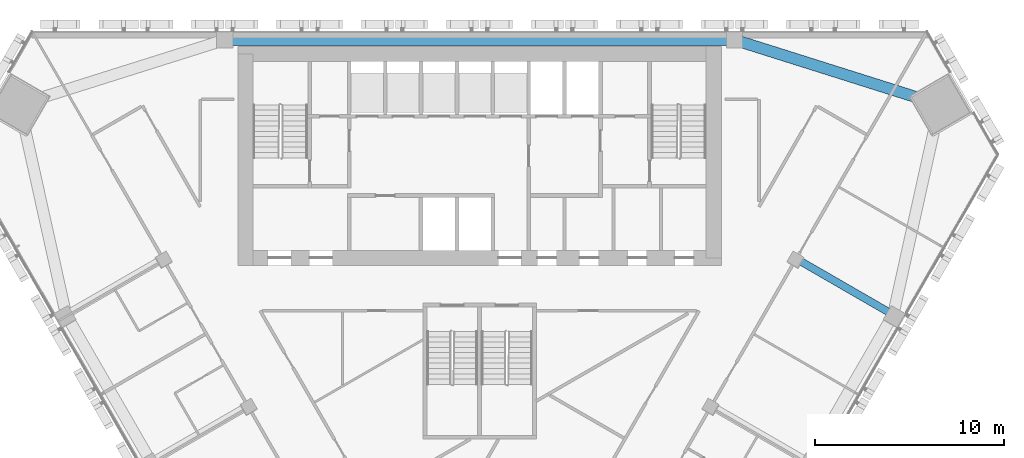
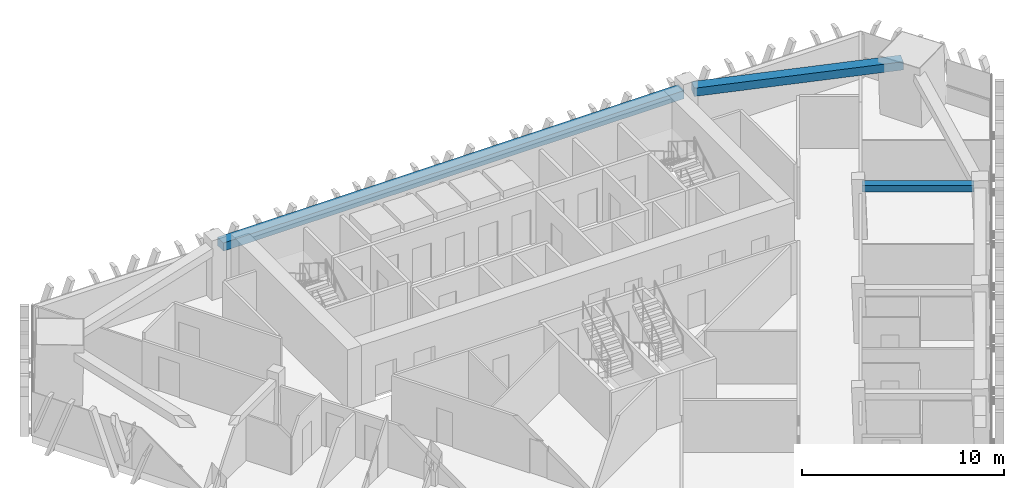
# One storey, part 6 of 15: 3 beams.
"""IFC4 building model written with IfcOpenShell, lengths in metres."""

from ifc_helpers import new_model, si_unit, direction, frame, origin, origin_2d, place, context, subcontext, project, spatial, rectangle, extrude, material, material_profile, profile_set, type_object, element, save


model = new_model("IFC4")

# Units and contexts
model_context = context("Model", 3, precision=1e-05, world=origin(), true_north=direction((0.0, 1.0)))
body_context = subcontext(model_context, "Body", "Model", "MODEL_VIEW")
ifc_project = project(units=[si_unit("LENGTHUNIT", "METRE"), si_unit("AREAUNIT", "SQUARE_METRE"), si_unit("VOLUMEUNIT", "CUBIC_METRE"), si_unit("PLANEANGLEUNIT", "RADIAN"), si_unit("MASSUNIT", "GRAM", prefix="KILO")], contexts=[model_context])

# Site, building, storey
site_placement = place(None, origin())
site = spatial("IfcSite", under=ifc_project, at=site_placement, CompositionType="ELEMENT")
building_placement = place(site_placement, origin())
building = spatial("IfcBuilding", under=site, at=building_placement, Name="Altiplano Prism Tower", CompositionType="ELEMENT")
storey_placement = place(building_placement, frame((0.0, 0.0, 142.199951171875)))
storey = spatial("IfcBuildingStorey", under=building, at=storey_placement, Name="L36", CompositionType="ELEMENT", Elevation=142.199951171875)

# Beams
ifc_material = material(Name="Concrete C60/75", Category="concrete")
ifc_material_profile_1 = material_profile(ifc_material, rectangle(XDim=0.60009765625, YDim=0.5, at=origin_2d()), Name="Edge beam 600x500")
ifc_profile_set_1 = profile_set([ifc_material_profile_1], Name="Concrete C60/75")
beam_type_1 = type_object("IfcBeamType", Name="Edge beam 600x500", PredefinedType="SPANDREL", material=ifc_profile_set_1)
beam_1_placement = place(storey_placement, frame((108.94384765625, 101.255126953125, 2.900146484375), z_axis=(-0.953669439101, 0.300856445709, 0.0), x_axis=(-0.300856445709, -0.953669439101, 0.0)))
element("IfcBeam", 1, at=beam_1_placement, inside=storey, type_object=beam_type_1, Name="Edge beam M2-P01 L37", PredefinedType="SPANDREL", context=body_context, shape_type="SweptSolid", body=[
    extrude(rectangle(XDim=0.60009765625, YDim=0.5, at=origin_2d()), origin(), (0.0, 0.0, 1.0), 10.62548828125),
])
beam_2_placement = place(storey_placement, frame((98.195068359375, 104.550048828125, 2.900146484375), z_axis=(-1.0, 0.0, 0.0), x_axis=(0.0, -1.0, 0.0)))
element("IfcBeam", 2, at=beam_2_placement, inside=storey, type_object=beam_type_1, Name="Edge beam P01-P04 L37", PredefinedType="SPANDREL", context=body_context, shape_type="SweptSolid", body=[
    extrude(rectangle(XDim=0.60009765625, YDim=0.5, at=origin_2d()), origin(), (0.0, 0.0, 1.0), 26.39013671875),
])
ifc_material_profile_2 = material_profile(ifc_material, rectangle(XDim=0.39990234375, YDim=0.39990234375, at=origin_2d()), Name="Tie beam 400x400")
ifc_profile_set_2 = profile_set([ifc_material_profile_2], Name="Concrete C60/75")
beam_type_2 = type_object("IfcBeamType", Name="Tie beam 400x400", PredefinedType="BEAM", material=ifc_profile_set_2)
beam_3_placement = place(storey_placement, frame((101.84521484375, 92.910888671875, 2.949951171875), z_axis=(0.866027073272, -0.499997108352, 0.0), x_axis=(0.499997108352, 0.866027073272, 0.0)))
element("IfcBeam", 3, at=beam_3_placement, inside=storey, type_object=beam_type_2, Name="Tie beam I24 L37", PredefinedType="BEAM", context=body_context, shape_type="SweptSolid", body=[
    extrude(rectangle(XDim=0.39990234375, YDim=0.39990234375, at=origin_2d()), origin(), (0.0, 0.0, 1.0), 5.5400390625),
])

save(model, "model.ifc")
